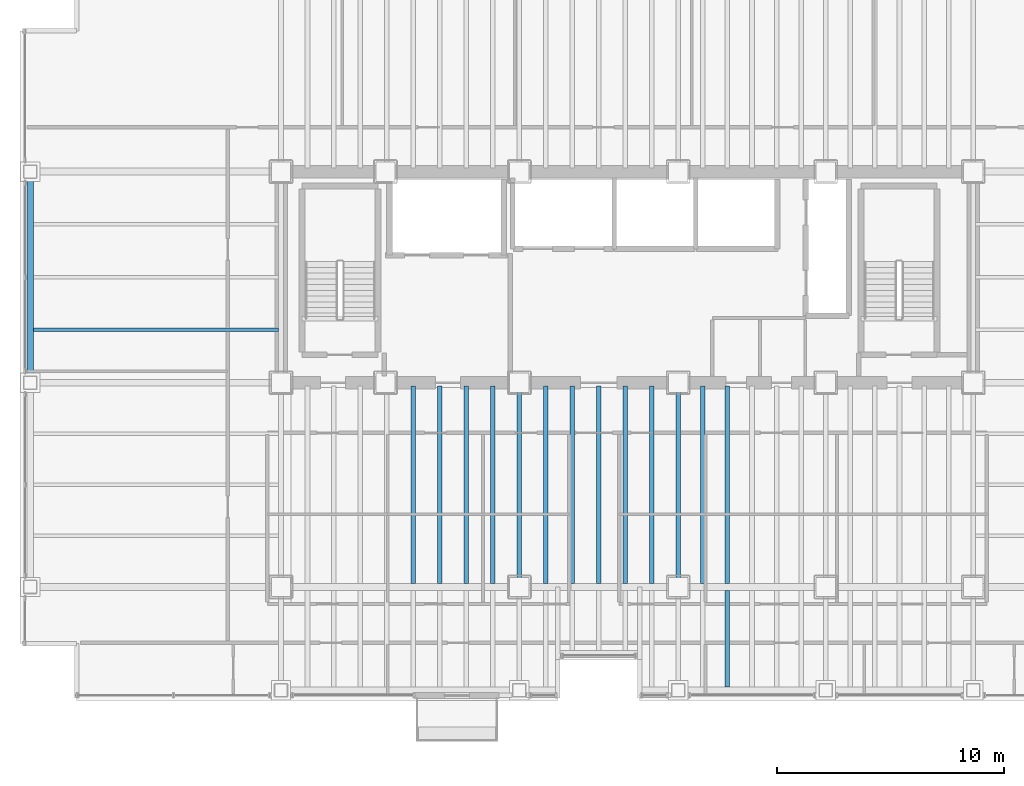
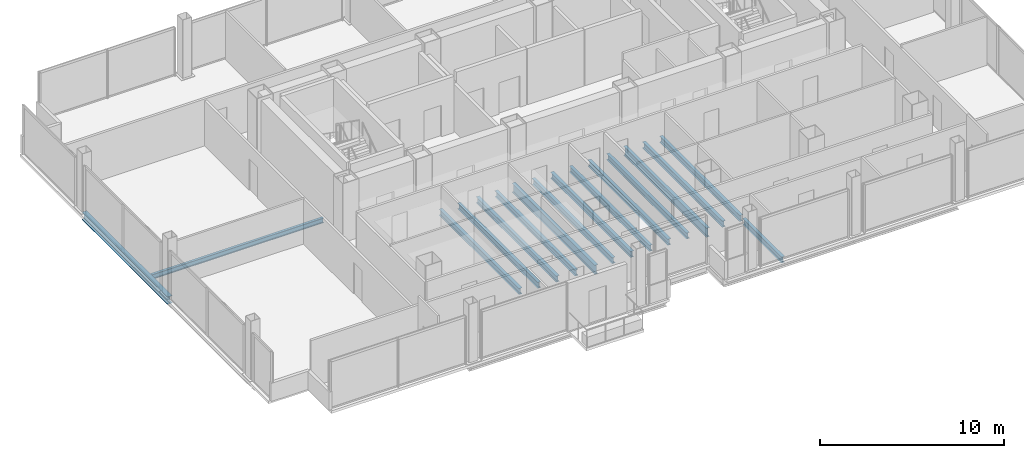
# One storey, part 5 of 21: 16 beams.
"""IFC4 building model written with IfcOpenShell, lengths in metres."""

from ifc_helpers import new_model, si_unit, direction, frame, origin, origin_2d, place, context, subcontext, project, spatial, i_section, extrude, material, material_profile, profile_set, type_object, element, save


model = new_model("IFC4")

# Units and contexts
model_context = context("Model", 3, precision=1e-05, world=origin(), true_north=direction((0.0, 1.0)))
body_context = subcontext(model_context, "Body", "Model", "MODEL_VIEW")
ifc_project = project(units=[si_unit("LENGTHUNIT", "METRE"), si_unit("AREAUNIT", "SQUARE_METRE"), si_unit("VOLUMEUNIT", "CUBIC_METRE"), si_unit("PLANEANGLEUNIT", "RADIAN"), si_unit("MASSUNIT", "GRAM", prefix="KILO")], contexts=[model_context])

# Site, building, storey
site_placement = place(None, origin())
site = spatial("IfcSite", under=ifc_project, at=site_placement, CompositionType="ELEMENT")
building_placement = place(site_placement, origin())
building = spatial("IfcBuilding", under=site, at=building_placement, Name="Noeulbin Bourse Tower", CompositionType="ELEMENT")
storey_placement = place(building_placement, frame((0.0, 0.0, 46.0)))
storey = spatial("IfcBuildingStorey", under=building, at=storey_placement, Name="L11", CompositionType="ELEMENT", Elevation=46.0)

# Beams
ifc_material = material(Name="Steel S355", Category="steel")
ifc_material_profile_1 = material_profile(ifc_material, i_section(OverallWidth=0.199951171875, OverallDepth=0.60009765625, WebThickness=0.010986328125, FlangeThickness=0.01708984375, FilletRadius=0.02197265625, at=origin_2d()), Name="H-600x200x11x17", Category="LoadBearing")
ifc_profile_set_1 = profile_set([ifc_material_profile_1], Name="Steel S355")
beam_type_1 = type_object("IfcBeamType", Name="BM-GRD-600", PredefinedType="USERDEFINED", material=ifc_profile_set_1)
for number, where, z_axis, x_axis, name in (
    (1, (24.0, 20.0, -0.47998046875), (0.0, 1.0, 0.0), (-1.0, 0.0, 0.0), "Tower Primary Girder NS L11-2.2"),
    (2, (31.0, 20.0, -0.47998046875), (0.0, 1.0, 0.0), (-1.0, 0.0, 0.0), "Tower Primary Girder NS L11-3.2"),
):
    element("IfcBeam", number, at=place(storey_placement, frame(where, z_axis=z_axis, x_axis=x_axis)), inside=storey, type_object=beam_type_1, Name=name, ObjectType="GIRDER", PredefinedType="USERDEFINED", context=body_context, shape_type="SweptSolid", body=[
        extrude(i_section(OverallWidth=0.199951171875, OverallDepth=0.60009765625, WebThickness=0.010986328125, FlangeThickness=0.01708984375, FilletRadius=0.02197265625, at=origin_2d()), origin(), (0.0, 0.0, 1.0), 9.0),
    ])
ifc_material_profile_2 = material_profile(ifc_material, i_section(OverallWidth=0.159912109375, OverallDepth=0.320068359375, WebThickness=0.006591796875, FlangeThickness=0.010009765625, FilletRadius=0.012939453125, at=origin_2d()), Name="H-320x160x6.5x10", Category="LoadBearing")
ifc_profile_set_2 = profile_set([ifc_material_profile_2], Name="Steel S355")
beam_type_2 = type_object("IfcBeamType", Name="BM-JST-320", PredefinedType="JOIST", material=ifc_profile_set_2)
beam_1_placement = place(storey_placement, frame((2.60009765625, 31.324951171875, -0.340087890625), z_axis=(1.0, 0.0, 0.0), x_axis=(0.0, 1.0, 0.0)))
element("IfcBeam", 3, at=beam_1_placement, inside=storey, type_object=beam_type_2, Name="Wing Composite Joist L11-W73", PredefinedType="JOIST", context=body_context, shape_type="SweptSolid", body=[
    extrude(i_section(OverallWidth=0.159912109375, OverallDepth=0.320068359375, WebThickness=0.006591796875, FlangeThickness=0.010009765625, FilletRadius=0.012939453125, at=origin_2d()), origin(), (0.0, 0.0, 1.0), 10.7998046875),
])
ifc_material_profile_3 = material_profile(ifc_material, i_section(OverallWidth=0.199951171875, OverallDepth=0.39990234375, WebThickness=0.008056640625, FlangeThickness=0.012939453125, FilletRadius=0.01611328125, at=origin_2d()), Name="H-400x200x8x13", Category="LoadBearing")
ifc_profile_set_3 = profile_set([ifc_material_profile_3], Name="Steel S355")
beam_type_3 = type_object("IfcBeamType", Name="BM-SEC-400", PredefinedType="BEAM", material=ifc_profile_set_3)
for number, where, z_axis, x_axis, name in (
    (4, (19.333251953125, 20.14990234375, -0.3798828125), (0.0, 1.0, 0.0), (-1.0, 0.0, 0.0), "Tower Composite Joist L11-14"),
    (5, (20.5, 20.14990234375, -0.3798828125), (0.0, 1.0, 0.0), (-1.0, 0.0, 0.0), "Tower Composite Joist L11-17"),
    (6, (21.666748046875, 20.14990234375, -0.3798828125), (0.0, 1.0, 0.0), (-1.0, 0.0, 0.0), "Tower Composite Joist L11-20"),
    (7, (22.833251953125, 20.14990234375, -0.3798828125), (0.0, 1.0, 0.0), (-1.0, 0.0, 0.0), "Tower Composite Joist L11-23"),
    (8, (25.166748046875, 20.14990234375, -0.3798828125), (0.0, 1.0, 0.0), (-1.0, 0.0, 0.0), "Tower Composite Joist L11-26"),
    (9, (26.333251953125, 20.14990234375, -0.3798828125), (0.0, 1.0, 0.0), (-1.0, 0.0, 0.0), "Tower Composite Joist L11-29"),
    (10, (27.5, 20.14990234375, -0.3798828125), (0.0, 1.0, 0.0), (-1.0, 0.0, 0.0), "Tower Composite Joist L11-32"),
    (11, (28.666748046875, 20.14990234375, -0.3798828125), (0.0, 1.0, 0.0), (-1.0, 0.0, 0.0), "Tower Composite Joist L11-35"),
    (12, (29.833251953125, 20.14990234375, -0.3798828125), (0.0, 1.0, 0.0), (-1.0, 0.0, 0.0), "Tower Composite Joist L11-38"),
    (13, (32.083251953125, 20.14990234375, -0.3798828125), (0.0, 1.0, 0.0), (-1.0, 0.0, 0.0), "Tower Composite Joist L11-41"),
):
    element("IfcBeam", number, at=place(storey_placement, frame(where, z_axis=z_axis, x_axis=x_axis)), inside=storey, type_object=beam_type_3, Name=name, PredefinedType="BEAM", context=body_context, shape_type="SweptSolid", body=[
        extrude(i_section(OverallWidth=0.199951171875, OverallDepth=0.39990234375, WebThickness=0.008056640625, FlangeThickness=0.012939453125, FilletRadius=0.01611328125, at=origin_2d()), origin(), (0.0, 0.0, 1.0), 8.7001953125),
    ])
beam_2_placement = place(storey_placement, frame((33.166748046875, 15.60009765625, -0.3798828125), z_axis=(0.0, 1.0, 0.0), x_axis=(-1.0, 0.0, 0.0)))
element("IfcBeam", 14, at=beam_2_placement, inside=storey, type_object=beam_type_3, Name="Tower Composite Joist L11-43", PredefinedType="BEAM", context=body_context, shape_type="SweptSolid", body=[
    extrude(i_section(OverallWidth=0.199951171875, OverallDepth=0.39990234375, WebThickness=0.008056640625, FlangeThickness=0.012939453125, FilletRadius=0.01611328125, at=origin_2d()), origin(), (0.0, 0.0, 1.0), 4.25),
])
beam_3_placement = place(storey_placement, frame((33.166748046875, 20.14990234375, -0.3798828125), z_axis=(0.0, 1.0, 0.0), x_axis=(-1.0, 0.0, 0.0)))
element("IfcBeam", 15, at=beam_3_placement, inside=storey, type_object=beam_type_3, Name="Tower Composite Joist L11-44", PredefinedType="BEAM", context=body_context, shape_type="SweptSolid", body=[
    extrude(i_section(OverallWidth=0.199951171875, OverallDepth=0.39990234375, WebThickness=0.008056640625, FlangeThickness=0.012939453125, FilletRadius=0.01611328125, at=origin_2d()), origin(), (0.0, 0.0, 1.0), 8.7001953125),
])
ifc_material_profile_4 = material_profile(ifc_material, i_section(OverallWidth=0.300048828125, OverallDepth=0.488037109375, WebThickness=0.010986328125, FlangeThickness=0.01806640625, FilletRadius=0.02197265625, at=origin_2d()), Name="H-488x300x11x18", Category="LoadBearing")
ifc_profile_set_4 = profile_set([ifc_material_profile_4], Name="Steel S355")
beam_type_4 = type_object("IfcBeamType", Name="BM-SPN-488", PredefinedType="SPANDREL", material=ifc_profile_set_4)
beam_4_placement = place(storey_placement, frame((2.449951171875, 29.0, -0.424072265625), z_axis=(0.0, 1.0, 0.0), x_axis=(-1.0, 0.0, 0.0)))
element("IfcBeam", 16, at=beam_4_placement, inside=storey, type_object=beam_type_4, Name="West Spandrel L11-2", PredefinedType="SPANDREL", context=body_context, shape_type="SweptSolid", body=[
    extrude(i_section(OverallWidth=0.300048828125, OverallDepth=0.488037109375, WebThickness=0.010986328125, FlangeThickness=0.01806640625, FilletRadius=0.02197265625, at=origin_2d()), origin(), (0.0, 0.0, 1.0), 9.300048828125),
])

save(model, "model.ifc")
